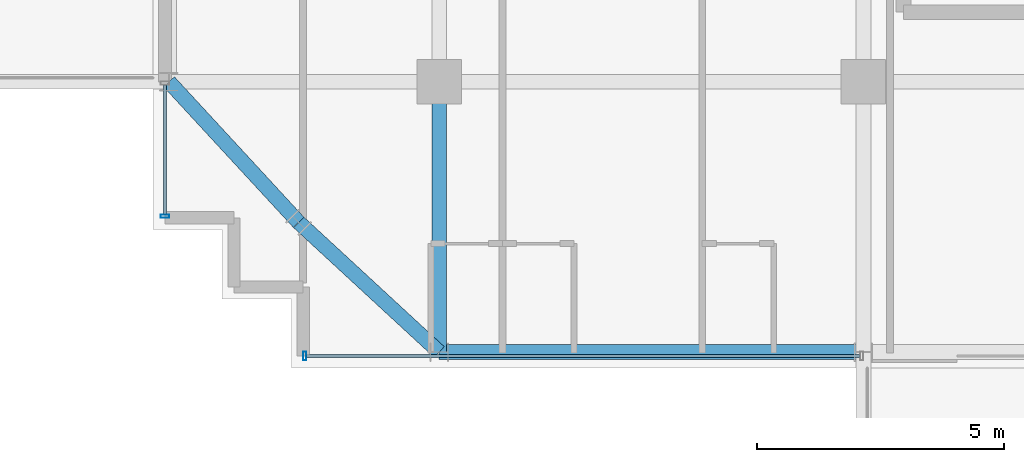
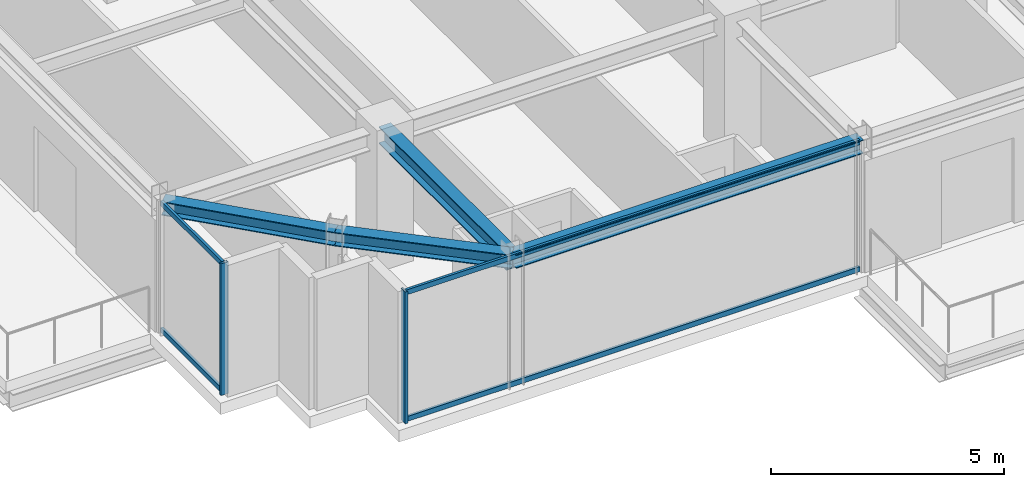
# One storey, part 4 of 31: 6 members, 4 beams, 2 elements without a shape of their own.
"""IFC4 building model written with IfcOpenShell, lengths in metres."""

from ifc_helpers import new_model, si_unit, direction, frame, origin, origin_2d, place, context, subcontext, project, spatial, hollow_rectangle, i_section, extrude, source, transform, mapped, material, material_profile, profile_set, type_object, element, aggregate, save


model = new_model("IFC4")

# Units and contexts
model_context = context("Model", 3, precision=1e-05, world=origin(), true_north=direction((0.0, 1.0)))
body_context = subcontext(model_context, "Body", "Model", "MODEL_VIEW")
ifc_project = project(units=[si_unit("LENGTHUNIT", "METRE"), si_unit("AREAUNIT", "SQUARE_METRE"), si_unit("VOLUMEUNIT", "CUBIC_METRE"), si_unit("PLANEANGLEUNIT", "RADIAN"), si_unit("MASSUNIT", "GRAM", prefix="KILO")], contexts=[model_context])

# Site, building, storey
site_placement = place(None, origin())
site = spatial("IfcSite", under=ifc_project, at=site_placement, CompositionType="ELEMENT")
building_placement = place(site_placement, origin())
building = spatial("IfcBuilding", under=site, at=building_placement, Name="Nahalor Promenade Grand Hotel", CompositionType="ELEMENT")
storey_placement = place(building_placement, frame((0.0, 0.0, 277.550048828125)))
storey = spatial("IfcBuildingStorey", under=building, at=storey_placement, Name="L71", CompositionType="ELEMENT", Elevation=277.550048828125)

# Beams
ifc_material_1 = material(Name="Steel S355JR", Category="steel")
ifc_material_profile_1 = material_profile(ifc_material_1, i_section(OverallWidth=0.3, OverallDepth=0.45, WebThickness=0.014, FlangeThickness=0.026, at=origin_2d()), Name="HEB 450")
ifc_profile_set_1 = profile_set([ifc_material_profile_1], Name="Steel S355JR")
beam_type_1 = type_object("IfcBeamType", Name="Beam-Girder-HEB450", PredefinedType="BEAM", material=ifc_profile_set_1)
shared_shape_1 = source(origin(), body_context, "Body", "SweptSolid", [
    extrude(i_section(OverallWidth=0.3, OverallDepth=0.45, WebThickness=0.014, FlangeThickness=0.026, at=origin_2d()), origin(), (0.0, 0.0, 1.0), 5.47998046875),
])
beam_1_placement = place(storey_placement, frame((-17.0, -22.47998046875, 3.224853515625), z_axis=(0.0, 1.0, 0.0), x_axis=(-1.0, 0.0, 0.0)))
element("IfcBeam", 1, at=beam_1_placement, inside=storey, type_object=beam_type_1, Name="BM-L71-GY-0-0", PredefinedType="BEAM", context=body_context, shape_type="MappedRepresentation", body=[
    mapped(shared_shape_1, transform((0.0, 0.0, 0.0), scale=1.0)),
])
ifc_material_profile_2 = material_profile(ifc_material_1, i_section(OverallWidth=0.3, OverallDepth=0.36, WebThickness=0.0125, FlangeThickness=0.0225, at=origin_2d()), Name="HEB 360")
ifc_profile_set_2 = profile_set([ifc_material_profile_2], Name="Steel S355JR")
beam_type_2 = type_object("IfcBeamType", Name="Beam-Spandrel-HEB360", PredefinedType="SPANDREL", material=ifc_profile_set_2)
shared_shape_2 = source(origin(), body_context, "Body", "SweptSolid", [
    extrude(i_section(OverallWidth=0.3, OverallDepth=0.36, WebThickness=0.0125, FlangeThickness=0.0225, at=origin_2d()), origin(), (0.0, 0.0, 1.0), 8.60009765625),
])
beam_2_placement = place(storey_placement, frame((-17.0, -22.47998046875, 3.27001953125), z_axis=(1.0, 0.0, 0.0), x_axis=(0.0, 1.0, 0.0)))
element("IfcBeam", 2, at=beam_2_placement, inside=storey, type_object=beam_type_2, Name="BM-L71-SP-S-0", PredefinedType="SPANDREL", context=body_context, shape_type="MappedRepresentation", body=[
    mapped(shared_shape_2, transform((0.0, 0.0, 0.0), scale=1.0)),
])
shared_shape_3 = source(origin(), body_context, "Body", "SweptSolid", [
    extrude(i_section(OverallWidth=0.3, OverallDepth=0.36, WebThickness=0.0125, FlangeThickness=0.0225, at=origin_2d()), origin(), (0.0, 0.0, 1.0), 3.878173828125),
])
for number, where, z_axis, x_axis, name in (
    (3, (-17.0, -22.47998046875, 3.27001953125), (-0.73492893846, 0.678144125843, 0.0), (-0.678144125843, -0.73492893846, 0.0), "BM-L71-SPC-SW-1"),
    (4, (-19.85009765625, -19.85009765625, 3.27001953125), (-0.678144125843, 0.73492893846, 0.0), (-0.73492893846, -0.678144125843, 0.0), "BM-L71-SPC-SW-2"),
):
    element("IfcBeam", number, at=place(storey_placement, frame(where, z_axis=z_axis, x_axis=x_axis)), inside=storey, type_object=beam_type_2, Name=name, PredefinedType="SPANDREL", context=body_context, shape_type="MappedRepresentation", body=[
        mapped(shared_shape_3, transform((0.0, 0.0, 0.0), scale=1.0)),
    ])

# Curtain wall, members
ifc_material_2 = material(Name="Anodised Bronze Aluminium EN AW-6063 T6", Category="aluminium")
curtain_wall_type = type_object("IfcCurtainWallType", Name="CW2 Typical Hotel Flush Bronze Unitised Curtain Wall", PredefinedType="USERDEFINED", material=ifc_material_2)
curtain_wall_1_placement = place(storey_placement, origin())
curtain_wall_1 = element("IfcCurtainWall", 5, at=curtain_wall_1_placement, inside=storey, type_object=curtain_wall_type, Name="L71 Curtain Wall CW-L71-W-1", ObjectType="UNITISED_CURTAIN_WALL", PredefinedType="USERDEFINED")
ifc_material_profile_3 = material_profile(ifc_material_2, hollow_rectangle(XDim=0.065, YDim=0.13, WallThickness=0.004, at=origin_2d()), Name="CWT 65x130x4")
ifc_profile_set_3 = profile_set([ifc_material_profile_3], Name="Anodised Bronze Aluminium EN AW-6063 T6")
member_type_1 = type_object("IfcMemberType", Name="CWT2 Typical Bronze Transom 65x130", PredefinedType="USERDEFINED", material=ifc_profile_set_3)
shared_shape_4 = source(origin(), body_context, "Body", "SweptSolid", [
    extrude(hollow_rectangle(XDim=0.065, YDim=0.13, WallThickness=0.004, at=origin_2d()), origin(), (0.0, 0.0, 1.0), 2.630126953125),
])
member_1_placement = place(storey_placement, frame((-22.56005859375, -19.695068359375, 0.06494140625), z_axis=(0.0, 1.0, 0.0), x_axis=(-1.0, 0.0, 0.0)))
member_1 = element("IfcMember", 6, at=member_1_placement, type_object=member_type_1, Name="CW-L71-W-1 Transom 0-0", ObjectType="TRANSOM", PredefinedType="USERDEFINED", context=body_context, shape_type="MappedRepresentation", body=[
    mapped(shared_shape_4, transform((0.0, 0.0, 0.0), scale=1.0)),
])
member_2_placement = place(storey_placement, frame((-22.56005859375, -19.695068359375, 3.385009765625), z_axis=(0.0, 1.0, 0.0), x_axis=(-1.0, 0.0, 0.0)))
member_2 = element("IfcMember", 7, at=member_2_placement, type_object=member_type_1, Name="CW-L71-W-1 Transom 0-1", ObjectType="TRANSOM", PredefinedType="USERDEFINED", context=body_context, shape_type="MappedRepresentation", body=[
    mapped(shared_shape_4, transform((0.0, 0.0, 0.0), scale=1.0)),
])

# Curtain wall, member
curtain_wall_2_placement = place(storey_placement, origin())
curtain_wall_2 = element("IfcCurtainWall", 8, at=curtain_wall_2_placement, inside=storey, type_object=curtain_wall_type, Name="L71 Curtain Wall CW-L71-S-1", ObjectType="UNITISED_CURTAIN_WALL", PredefinedType="USERDEFINED")
ifc_material_profile_4 = material_profile(ifc_material_2, hollow_rectangle(XDim=0.065, YDim=0.18, WallThickness=0.004, at=origin_2d()), Name="CWM 65x180x4")
ifc_profile_set_4 = profile_set([ifc_material_profile_4], Name="Anodised Bronze Aluminium EN AW-6063 T6")
member_type_2 = type_object("IfcMemberType", Name="CWM2 Typical Bronze Mullion 65x180", PredefinedType="MULLION", material=ifc_profile_set_4)
shared_shape_5 = source(origin(), body_context, "Body", "SweptSolid", [
    extrude(hollow_rectangle(XDim=0.065, YDim=0.18, WallThickness=0.004, at=origin_2d()), origin(), (0.0, 0.0, 1.0), 3.449951171875),
])
member_3_placement = place(storey_placement, frame((-19.7275390625, -22.56005859375, 0.0), z_axis=(0.0, 0.0, 1.0), x_axis=(1.0, 0.0, 0.0)))
member_3 = element("IfcMember", 9, at=member_3_placement, type_object=member_type_2, Name="CW-L71-S-1 Mullion 0", PredefinedType="MULLION", context=body_context, shape_type="MappedRepresentation", body=[
    mapped(shared_shape_5, transform((0.0, 0.0, 0.0), scale=1.0)),
])

# Member
member_4_placement = place(storey_placement, frame((-22.56005859375, -19.7275390625, 0.0), z_axis=(0.0, 0.0, 1.0), x_axis=(0.0, 1.0, 0.0)))
member_4 = element("IfcMember", 10, at=member_4_placement, type_object=member_type_2, Name="CW-L71-W-1 Mullion 0", PredefinedType="MULLION", context=body_context, shape_type="MappedRepresentation", body=[
    mapped(shared_shape_5, transform((0.0, 0.0, 0.0), scale=1.0)),
])

aggregate(curtain_wall_1, [member_4, member_1, member_2])

shared_shape_6 = source(origin(), body_context, "Body", "SweptSolid", [
    extrude(hollow_rectangle(XDim=0.065, YDim=0.13, WallThickness=0.004, at=origin_2d()), origin(), (0.0, 0.0, 1.0), 11.22998046875),
])
member_5_placement = place(storey_placement, frame((-19.695068359375, -22.56005859375, 0.06494140625), z_axis=(1.0, 0.0, 0.0), x_axis=(0.0, 1.0, 0.0)))
member_5 = element("IfcMember", 11, at=member_5_placement, type_object=member_type_1, Name="CW-L71-S-1 Transom 0-0", ObjectType="TRANSOM", PredefinedType="USERDEFINED", context=body_context, shape_type="MappedRepresentation", body=[
    mapped(shared_shape_6, transform((0.0, 0.0, 0.0), scale=1.0)),
])

member_6_placement = place(storey_placement, frame((-19.695068359375, -22.56005859375, 3.385009765625), z_axis=(1.0, 0.0, 0.0), x_axis=(0.0, 1.0, 0.0)))
member_6 = element("IfcMember", 12, at=member_6_placement, type_object=member_type_1, Name="CW-L71-S-1 Transom 0-1", ObjectType="TRANSOM", PredefinedType="USERDEFINED", context=body_context, shape_type="MappedRepresentation", body=[
    mapped(shared_shape_6, transform((0.0, 0.0, 0.0), scale=1.0)),
])

aggregate(curtain_wall_2, [member_3, member_5, member_6])

save(model, "model.ifc")
